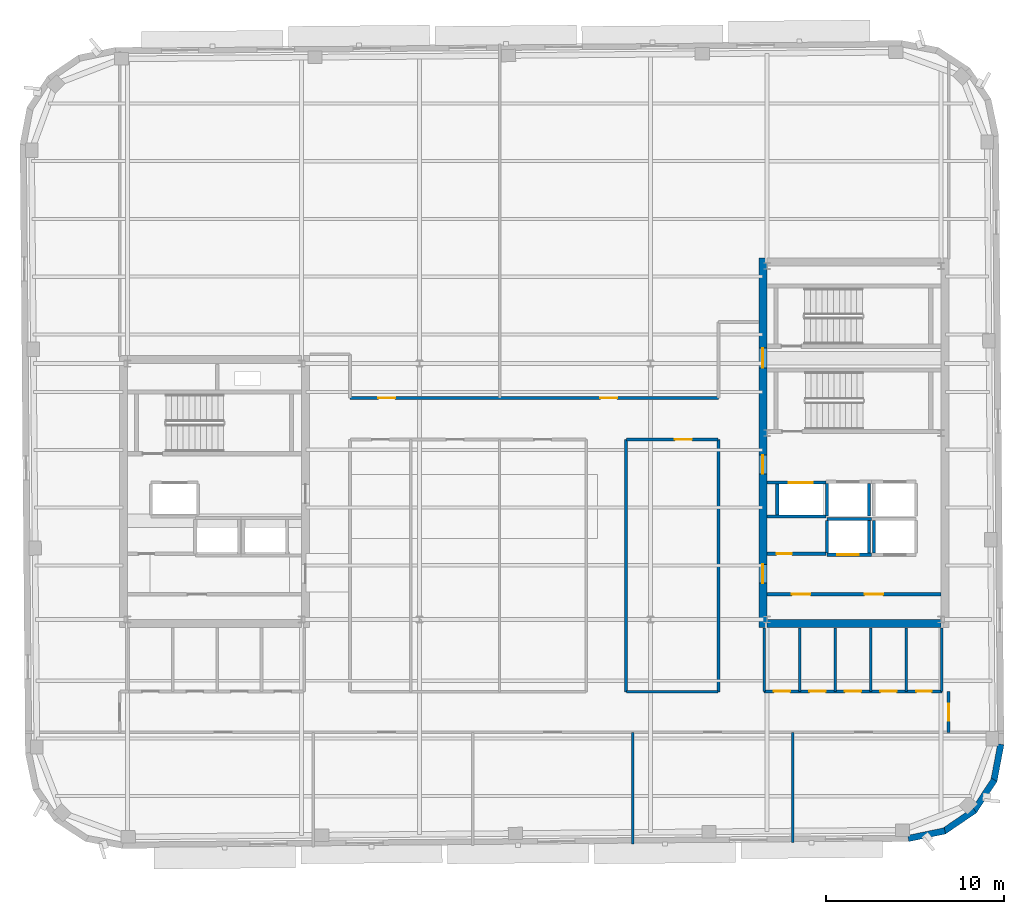
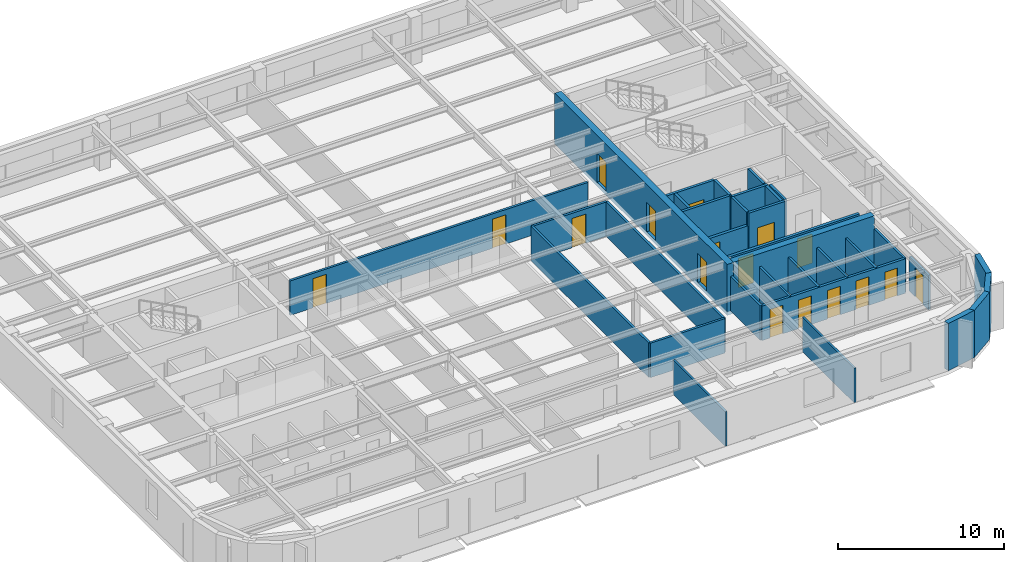
# One storey, part 8 of 15: 33 walls, 17 doors, 17 openings.
"""IFC4 building model written with IfcOpenShell, lengths in metres."""

import ifcopenshell
import ifcopenshell.guid

model = None  # the IFC model being written
_history = None  # IfcOwnerHistory: only IFC2X3 demands one
_inside = {}  # id of a spatial element -> (the spatial element, [elements in it])
_under = {}  # id of a project, library or spatial element -> (it, [spatial elements below it])
_declared = {}  # id of a project -> (the project, [libraries it declares])
_typed = {}  # id of a type object -> (the type object, [elements of that type])
_made_of = {}  # id of a material, layer set ... -> (it, [elements and type objects made of it])


def new_model(schema):
    """Start an empty IFC model of exactly this schema.

    Asked for "IFC4X3", IfcOpenShell would pick the latest addendum, in which some entities
    have other attributes; the version numbers below select the first issue.
    IFC2X3 requires an IfcOwnerHistory on every rooted entity: one is made here for all.
    """
    global model, _history
    if schema == "IFC4X3":
        model = ifcopenshell.file(schema_version=(4, 3, 0, 0))
    else:
        model = ifcopenshell.file(schema=schema)
    _inside.clear()
    _under.clear()
    _declared.clear()
    _typed.clear()
    _made_of.clear()
    _history = None
    if model.schema == "IFC2X3":
        org = make("IfcOrganization", Name="unknown")
        user = make(
            "IfcPersonAndOrganization",
            ThePerson=make("IfcPerson", FamilyName="unknown"),
            TheOrganization=org,
        )
        app = make(
            "IfcApplication",
            ApplicationDeveloper=org,
            Version="unknown",
            ApplicationFullName="unknown",
            ApplicationIdentifier="unknown",
        )
        _history = make(
            "IfcOwnerHistory",
            OwningUser=user,
            OwningApplication=app,
            ChangeAction="ADDED",
            CreationDate=0,
        )
    return model


def make(cls, **values):
    """One entity of the class cls with the attributes given. An attribute that is None is left unset."""
    return model.create_entity(
        cls, **{name: value for name, value in values.items() if value is not None}
    )


def rooted(cls, **values):
    """An entity with a GlobalId (a new one), such as an element, a storey or a relation."""
    return make(cls, GlobalId=ifcopenshell.guid.new(), OwnerHistory=_history, **values)


def si_unit(unit_type, name, prefix=None):
    """IfcSIUnit, for example si_unit("LENGTHUNIT", "METRE", prefix="MILLI")."""
    return make("IfcSIUnit", UnitType=unit_type, Prefix=prefix, Name=name)


def assignment(units):
    """IfcUnitAssignment: the units of a project."""
    return None if units is None else make("IfcUnitAssignment", Units=units)


def point(xyz):
    """IfcCartesianPoint."""
    return None if xyz is None else make("IfcCartesianPoint", Coordinates=xyz)


def direction(xyz):
    """IfcDirection."""
    return None if xyz is None else make("IfcDirection", DirectionRatios=xyz)


def frame(location, z_axis=None, x_axis=None):
    """IfcAxis2Placement3D, a coordinate frame: its origin and axes. An axis left out is left unset."""
    return make(
        "IfcAxis2Placement3D",
        Location=point(location),
        Axis=direction(z_axis),
        RefDirection=direction(x_axis),
    )


def frame_2d(location, x_axis=None):
    """IfcAxis2Placement2D, a coordinate frame in the plane: its origin and x axis."""
    return make(
        "IfcAxis2Placement2D", Location=point(location), RefDirection=direction(x_axis)
    )


def origin():
    """The frame at (0, 0, 0) with its axes left unset."""
    return frame((0.0, 0.0, 0.0))


def place(relative_to, where):
    """IfcLocalPlacement: puts the frame where relative to a parent placement (None: the world)."""
    return make(
        "IfcLocalPlacement", PlacementRelTo=relative_to, RelativePlacement=where
    )


def context(
    kind, dimensions, precision=None, world=None, true_north=None, identifier=None
):
    """IfcGeometricRepresentationContext, for example the 3D "Model" context."""
    return make(
        "IfcGeometricRepresentationContext",
        ContextIdentifier=identifier,
        ContextType=kind,
        CoordinateSpaceDimension=dimensions,
        Precision=precision,
        WorldCoordinateSystem=world,
        TrueNorth=true_north,
    )


def subcontext(parent, identifier, kind, view, scale=None):
    """IfcGeometricRepresentationSubContext, for example "Body" below "Model"."""
    return make(
        "IfcGeometricRepresentationSubContext",
        ContextIdentifier=identifier,
        ContextType=kind,
        ParentContext=parent,
        TargetScale=scale,
        TargetView=view,
    )


def project(units=None, contexts=None):
    """IfcProject with its units and contexts."""
    return rooted(
        "IfcProject",
        Name="project",
        RepresentationContexts=contexts,
        UnitsInContext=assignment(units),
    )


def spatial(cls, under=None, at=None, **own):
    """A site, building, storey or space (cls), placed at a placement, below another one or the project."""
    s = rooted(cls, ObjectPlacement=at, **own)
    if under is not None:
        _under.setdefault(under.id(), (under, []))[1].append(s)
    return s


def profile(cls, at=None, kind="AREA", **sizes):
    """A parametric profile (cls). Its sizes go by their IFC names, for example OverallWidth=200.0."""
    return make(cls, ProfileType=kind, Position=at, **sizes)


def rectangle(**sizes):
    """IfcRectangleProfileDef."""
    return profile("IfcRectangleProfileDef", **sizes)


def extrude(swept, where, along, depth):
    """IfcExtrudedAreaSolid: the profile swept, set in the frame where, extruded along a direction by depth."""
    return make(
        "IfcExtrudedAreaSolid",
        SweptArea=swept,
        Position=where,
        ExtrudedDirection=direction(along),
        Depth=depth,
    )


def shape(context_of_items, identifier, shape_type, items):
    """IfcShapeRepresentation: the items that make up one representation, for example the "Body"."""
    return make(
        "IfcShapeRepresentation",
        ContextOfItems=context_of_items,
        RepresentationIdentifier=identifier,
        RepresentationType=shape_type,
        Items=items,
    )


def material(Name=None, Category=None):
    """IfcMaterial."""
    return make("IfcMaterial", Name=Name, Category=Category)


def layer(
    of_material, thickness, ventilated=None, Name=None, Category=None, Priority=None
):
    """IfcMaterialLayer: one layer of a wall or slab, of a material (None: an air gap)."""
    return make(
        "IfcMaterialLayer",
        Material=of_material,
        LayerThickness=thickness,
        IsVentilated=ventilated,
        Name=Name,
        Category=Category,
        Priority=Priority,
    )


def layer_set(layers, Name=None):
    """IfcMaterialLayerSet."""
    return make("IfcMaterialLayerSet", MaterialLayers=layers, LayerSetName=Name)


def made_of(thing, what):
    """Note that an element or type object is made of a material, layer set ...; save() writes the relation."""
    if what is not None:
        _made_of.setdefault(what.id(), (what, []))[1].append(thing)
    return thing


def type_object(cls, material=None, **own):
    """A type object (cls), such as IfcWallType, which elements share."""
    return made_of(rooted(cls, **own), material)


def element(
    cls,
    number,
    at=None,
    inside=None,
    cuts=None,
    type_object=None,
    material=None,
    context=None,
    identifier="Body",
    shape_type=None,
    held_by="IfcProductDefinitionShape",
    body=None,
    shapes=None,
    **own,
):
    """One element of the class cls, such as IfcWall. Its Tag is "e" and its number.

    at: its placement. inside: the storey or other place that contains it. cuts: it is an
    opening in that element (IfcRelVoidsElement). A single representation is given by context,
    identifier, shape_type and body (its items); several are given by shapes. held_by: the class
    of the entity that holds the representations. save() writes the other relations.
    """
    e = rooted(cls, Tag="e%d" % number, ObjectPlacement=at, **own)
    if body is not None:
        shapes = [shape(context, identifier, shape_type, body)]
    if shapes is not None:
        e.Representation = make(held_by, Representations=shapes)
    if inside is not None:
        _inside.setdefault(inside.id(), (inside, []))[1].append(e)
    if cuts is not None:
        rooted(
            "IfcRelVoidsElement", RelatingBuildingElement=cuts, RelatedOpeningElement=e
        )
    if type_object is not None:
        _typed.setdefault(type_object.id(), (type_object, []))[1].append(e)
    return made_of(e, material)


def fill(opening, filler):
    """IfcRelFillsElement: the door or window that sits in an opening."""
    return rooted(
        "IfcRelFillsElement",
        RelatingOpeningElement=opening,
        RelatedBuildingElement=filler,
    )


def aggregate(whole, parts):
    """IfcRelAggregates: a whole, such as a stair, and the parts it consists of."""
    return rooted("IfcRelAggregates", RelatingObject=whole, RelatedObjects=parts)


def save(model, path):
    """Write the relations noted so far, then the file.

    IfcRelAggregates (storeys below a building ...), IfcRelContainedInSpatialStructure (elements
    in a storey), IfcRelDefinesByType, IfcRelAssociatesMaterial and IfcRelDeclares: one each for
    every whole, place, type object, material and project.
    """
    for whole, parts in _under.values():
        aggregate(whole, parts)
    for where, things in _inside.values():
        rooted(
            "IfcRelContainedInSpatialStructure",
            RelatedElements=things,
            RelatingStructure=where,
        )
    for kind, things in _typed.values():
        rooted("IfcRelDefinesByType", RelatedObjects=things, RelatingType=kind)
    for what, things in _made_of.values():
        rooted("IfcRelAssociatesMaterial", RelatedObjects=things, RelatingMaterial=what)
    for by, libraries in _declared.values():
        rooted("IfcRelDeclares", RelatingContext=by, RelatedDefinitions=libraries)
    model.write(path)


model = new_model("IFC4")

# Units and contexts
model_context = context("Model", 3, precision=1e-05, world=origin(), true_north=direction((0.0, 1.0)))
body_context = subcontext(model_context, "Body", "Model", "MODEL_VIEW")
ifc_project = project(units=[si_unit("LENGTHUNIT", "METRE"), si_unit("AREAUNIT", "SQUARE_METRE"), si_unit("VOLUMEUNIT", "CUBIC_METRE"), si_unit("PLANEANGLEUNIT", "RADIAN"), si_unit("MASSUNIT", "GRAM", prefix="KILO")], contexts=[model_context])

# Site, building, storey
site_placement = place(None, origin())
site = spatial("IfcSite", under=ifc_project, at=site_placement, CompositionType="ELEMENT")
building_placement = place(site_placement, origin())
building = spatial("IfcBuilding", under=site, at=building_placement, Name="Kolvaren Arena Tower", CompositionType="ELEMENT")
storey_placement = place(building_placement, frame((0.0, 0.0, 282.39990234375)))
storey = spatial("IfcBuildingStorey", under=building, at=storey_placement, Name="L69", CompositionType="ELEMENT", Elevation=282.39990234375)

# Wall, openings, doors
ifc_material_1 = material(Name="Gypsum board acoustic assembly", Category="gypsum")
ifc_layer_1 = layer(ifc_material_1, 0.159912109375)
ifc_layer_set_1 = layer_set([ifc_layer_1], Name="Gypsum board acoustic assembly")
wall_type_1 = type_object("IfcWallType", Name="CORR-160", PredefinedType="PARTITIONING", material=ifc_layer_set_1)
wall_1_placement = place(storey_placement, frame((27.080078125, 31.919921875, 0.0), z_axis=(0.0, 0.0, 1.0), x_axis=(1.0, 0.0, 0.0)))
wall_1 = element("IfcWall", 1, at=wall_1_placement, inside=storey, type_object=wall_type_1, Name="Interior Partition Wall (L69)", PredefinedType="PARTITIONING", context=body_context, shape_type="SweptSolid", body=[
    extrude(rectangle(XDim=20.739990234375, YDim=0.159912109375, at=frame_2d((10.3701171875, 0.0))), origin(), (0.0, 0.0, 1.0), 2.5400390625),
])
opening_1_placement = place(wall_1_placement, frame((1.594970703125, 0.0, 0.0)))
opening_1 = element("IfcOpeningElement", 2, at=opening_1_placement, cuts=wall_1, Name="Opening D05", PredefinedType="OPENING", context=body_context, shape_type="SweptSolid", body=[
    extrude(rectangle(XDim=0.949951171875, YDim=2.14990234375, at=frame_2d((0.47509765625, 1.074951171875))), frame((0.0, 0.08984375, 0.0), z_axis=(0.0, -1.0, 0.0), x_axis=(1.0, 0.0, 0.0)), (0.0, 0.0, 1.0), 0.179931640625),
])
opening_2_placement = place(wall_1_placement, frame((14.094970703125, 0.0, 0.0)))
opening_2 = element("IfcOpeningElement", 3, at=opening_2_placement, cuts=wall_1, Name="Opening D05", PredefinedType="OPENING", context=body_context, shape_type="SweptSolid", body=[
    extrude(rectangle(XDim=0.949951171875, YDim=2.14990234375, at=frame_2d((0.47509765625, 1.074951171875))), frame((0.0, 0.08984375, 0.0), z_axis=(0.0, -1.0, 0.0), x_axis=(1.0, 0.0, 0.0)), (0.0, 0.0, 1.0), 0.179931640625),
])
ifc_material_2 = material(Name="Solid-core oak acoustic office door", Category="wood")
door_type_1 = type_object("IfcDoorType", Name="DOOR-OF-095", OperationType="NOTDEFINED", PredefinedType="DOOR", material=ifc_material_2)
door_1_placement = place(opening_1_placement, origin())
door_1 = element("IfcDoor", 4, at=door_1_placement, inside=storey, type_object=door_type_1, Name="Open Plan Office Door (L69)", OperationType="SINGLE_SWING_RIGHT", OverallHeight=2.14990234375, OverallWidth=0.949951171875, PredefinedType="DOOR", context=body_context, shape_type="SweptSolid", body=[
    extrude(rectangle(XDim=0.949951171875, YDim=2.14990234375, at=frame_2d((0.47509765625, 1.074951171875))), frame((0.0, 0.02490234375, 0.0), z_axis=(0.0, -1.0, 0.0), x_axis=(1.0, 0.0, 0.0)), (0.0, 0.0, 1.0), 0.050048828125),
])
fill(opening_1, door_1)
door_2_placement = place(opening_2_placement, origin())
door_2 = element("IfcDoor", 5, at=door_2_placement, inside=storey, type_object=door_type_1, Name="Open Plan Office Door (L69)", OperationType="SINGLE_SWING_LEFT", OverallHeight=2.14990234375, OverallWidth=0.949951171875, PredefinedType="DOOR", context=body_context, shape_type="SweptSolid", body=[
    extrude(rectangle(XDim=0.949951171875, YDim=2.14990234375, at=frame_2d((0.47509765625, 1.074951171875))), frame((0.0, 0.02490234375, 0.0), z_axis=(0.0, -1.0, 0.0), x_axis=(1.0, 0.0, 0.0)), (0.0, 0.0, 1.0), 0.050048828125),
])
fill(opening_2, door_2)

# Wall, opening, door
wall_2_placement = place(storey_placement, frame((42.639892578125, 29.580078125, 0.0), z_axis=(0.0, 0.0, 1.0), x_axis=(1.0, 0.0, 0.0)))
wall_2 = element("IfcWall", 6, at=wall_2_placement, inside=storey, type_object=wall_type_1, Name="Interior Partition Wall (L69)", PredefinedType="PARTITIONING", context=body_context, shape_type="SweptSolid", body=[
    extrude(rectangle(XDim=5.16015625, YDim=0.159912109375, at=frame_2d((2.580078125, 0.0))), origin(), (0.0, 0.0, 1.0), 2.5400390625),
])
opening_3_placement = place(wall_2_placement, frame((2.735107421875, 0.0, 0.0)))
opening_3 = element("IfcOpeningElement", 7, at=opening_3_placement, cuts=wall_2, Name="Opening D05", PredefinedType="OPENING", context=body_context, shape_type="SweptSolid", body=[
    extrude(rectangle(XDim=0.949951171875, YDim=2.14990234375, at=frame_2d((0.47509765625, 1.074951171875))), frame((0.0, 0.08984375, 0.0), z_axis=(0.0, -1.0, 0.0), x_axis=(1.0, 0.0, 0.0)), (0.0, 0.0, 1.0), 0.179931640625),
])
door_3_placement = place(opening_3_placement, origin())
door_3 = element("IfcDoor", 8, at=door_3_placement, inside=storey, type_object=door_type_1, Name="Breakout Pantry and Kitchen Door (L69)", OperationType="SINGLE_SWING_LEFT", OverallHeight=2.14990234375, OverallWidth=0.949951171875, PredefinedType="DOOR", context=body_context, shape_type="SweptSolid", body=[
    extrude(rectangle(XDim=0.949951171875, YDim=2.14990234375, at=frame_2d((0.47509765625, 1.074951171875))), frame((0.0, 0.02490234375, 0.0), z_axis=(0.0, -1.0, 0.0), x_axis=(1.0, 0.0, 0.0)), (0.0, 0.0, 1.0), 0.050048828125),
])
fill(opening_3, door_3)

# Walls
wall_3_placement = place(storey_placement, frame((42.639892578125, 15.3798828125, 0.0), z_axis=(0.0, 0.0, 1.0), x_axis=(1.0, 0.0, 0.0)))
element("IfcWall", 9, at=wall_3_placement, inside=storey, type_object=wall_type_1, Name="Interior Partition Wall (L69)", PredefinedType="PARTITIONING", context=body_context, shape_type="SweptSolid", body=[
    extrude(rectangle(XDim=5.16015625, YDim=0.159912109375, at=frame_2d((2.580078125, 0.0))), origin(), (0.0, 0.0, 1.0), 2.5400390625),
])
for number, where, z_axis, x_axis, name in (
    (10, (42.6201171875, 15.3798828125, 0.0), (0.0, 0.0, 1.0), (0.0, 1.0, 0.0), "Interior Partition Wall (L69)"),
    (11, (47.820068359375, 15.3798828125, 0.0), (0.0, 0.0, 1.0), (0.0, 1.0, 0.0), "Interior Partition Wall (L69)"),
):
    element("IfcWall", number, at=place(storey_placement, frame(where, z_axis=z_axis, x_axis=x_axis)), inside=storey, type_object=wall_type_1, Name=name, PredefinedType="PARTITIONING", context=body_context, shape_type="SweptSolid", body=[
        extrude(rectangle(XDim=14.2001953125, YDim=0.159912109375, at=frame_2d((7.10009765625, 0.0))), origin(), (0.0, 0.0, 1.0), 2.5400390625),
    ])

# Wall, opening, door
wall_4_placement = place(storey_placement, frame((60.780029296875, 13.10009765625, 0.0), z_axis=(0.0, 0.0, 1.0), x_axis=(0.0, 1.0, 0.0)))
wall_4 = element("IfcWall", 12, at=wall_4_placement, inside=storey, type_object=wall_type_1, Name="Interior Partition Wall (L69)", PredefinedType="PARTITIONING", context=body_context, shape_type="SweptSolid", body=[
    extrude(rectangle(XDim=2.2998046875, YDim=0.159912109375, at=frame_2d((1.14990234375, 0.0))), origin(), (0.0, 0.0, 1.0), 2.5400390625),
])
opening_4_placement = place(wall_4_placement, frame((0.64990234375, 0.0, 0.0)))
opening_4 = element("IfcOpeningElement", 13, at=opening_4_placement, cuts=wall_4, Name="Opening D05", PredefinedType="OPENING", context=body_context, shape_type="SweptSolid", body=[
    extrude(rectangle(XDim=0.949951171875, YDim=2.14990234375, at=frame_2d((0.47509765625, 1.074951171875))), frame((0.0, 0.08984375, 0.0), z_axis=(0.0, -1.0, 0.0), x_axis=(1.0, 0.0, 0.0)), (0.0, 0.0, 1.0), 0.179931640625),
])
door_4_placement = place(opening_4_placement, origin())
door_4 = element("IfcDoor", 14, at=door_4_placement, inside=storey, type_object=door_type_1, Name="East Wing Studio Door (L69)", OperationType="SINGLE_SWING_RIGHT", OverallHeight=2.14990234375, OverallWidth=0.949951171875, PredefinedType="DOOR", context=body_context, shape_type="SweptSolid", body=[
    extrude(rectangle(XDim=0.949951171875, YDim=2.14990234375, at=frame_2d((0.47509765625, 1.074951171875))), frame((0.0, 0.02490234375, 0.0), z_axis=(0.0, -1.0, 0.0), x_axis=(1.0, 0.0, 0.0)), (0.0, 0.0, 1.0), 0.050048828125),
])
fill(opening_4, door_4)

# Wall, openings, doors
ifc_material_3 = material(Name="Concrete 55 MPa", Category="concrete")
ifc_layer_2 = layer(ifc_material_3, 0.449951171875)
ifc_layer_set_2 = layer_set([ifc_layer_2], Name="Concrete 55 MPa")
wall_type_2 = type_object("IfcWallType", Name="CWALL-450", PredefinedType="SHEAR", material=ifc_layer_set_2)
wall_5_placement = place(storey_placement, frame((50.324951171875, 19.0, -0.27001953125), z_axis=(0.0, 0.0, 1.0), x_axis=(0.0, 1.0, 0.0)))
wall_5 = element("IfcWall", 15, at=wall_5_placement, inside=storey, type_object=wall_type_2, Name="Core Shear Wall EC-WEST (L69)", PredefinedType="SHEAR", context=body_context, shape_type="SweptSolid", body=[
    extrude(rectangle(XDim=20.800048828125, YDim=0.449951171875, at=frame_2d((10.39990234375, 0.0))), origin(), (0.0, 0.0, 1.0), 3.75),
])
opening_5_placement = place(wall_5_placement, frame((2.5, 0.0, 0.27001953125)))
opening_5 = element("IfcOpeningElement", 16, at=opening_5_placement, cuts=wall_5, Name="Opening D04", PredefinedType="OPENING", context=body_context, shape_type="SweptSolid", body=[
    extrude(rectangle(XDim=1.050048828125, YDim=2.14990234375, at=frame_2d((0.52490234375, 1.074951171875))), frame((0.0, 0.23486328125, 0.0), z_axis=(0.0, -1.0, 0.0), x_axis=(1.0, 0.0, 0.0)), (0.0, 0.0, 1.0), 0.469970703125),
])
opening_6_placement = place(wall_5_placement, frame((8.64990234375, 0.0, 0.27001953125)))
opening_6 = element("IfcOpeningElement", 17, at=opening_6_placement, cuts=wall_5, Name="Opening D04", PredefinedType="OPENING", context=body_context, shape_type="SweptSolid", body=[
    extrude(rectangle(XDim=1.050048828125, YDim=2.14990234375, at=frame_2d((0.52490234375, 1.074951171875))), frame((0.0, 0.23486328125, 0.0), z_axis=(0.0, -1.0, 0.0), x_axis=(1.0, 0.0, 0.0)), (0.0, 0.0, 1.0), 0.469970703125),
])
opening_7_placement = place(wall_5_placement, frame((14.6201171875, 0.0, 0.27001953125)))
opening_7 = element("IfcOpeningElement", 18, at=opening_7_placement, cuts=wall_5, Name="Opening D03", PredefinedType="OPENING", context=body_context, shape_type="SweptSolid", body=[
    extrude(rectangle(XDim=1.10009765625, YDim=2.14990234375, at=frame_2d((0.550048828125, 1.074951171875))), frame((0.0, 0.23486328125, 0.0), z_axis=(0.0, -1.0, 0.0), x_axis=(1.0, 0.0, 0.0)), (0.0, 0.0, 1.0), 0.469970703125),
])
ifc_material_4 = material(Name="Fire-rated steel lobby door", Category="steel")
door_type_2 = type_object("IfcDoorType", Name="DOOR-FF-105", OperationType="NOTDEFINED", PredefinedType="DOOR", material=ifc_material_4)
door_5_placement = place(opening_5_placement, origin())
door_5 = element("IfcDoor", 19, at=door_5_placement, inside=storey, type_object=door_type_2, Name="East Lift Lobby Fire Door (L69)", OperationType="SINGLE_SWING_RIGHT", OverallHeight=2.14990234375, OverallWidth=1.050048828125, PredefinedType="DOOR", context=body_context, shape_type="SweptSolid", body=[
    extrude(rectangle(XDim=1.050048828125, YDim=2.14990234375, at=frame_2d((0.52490234375, 1.074951171875))), frame((0.0, 0.02490234375, 0.0), z_axis=(0.0, -1.0, 0.0), x_axis=(1.0, 0.0, 0.0)), (0.0, 0.0, 1.0), 0.050048828125),
])
fill(opening_5, door_5)
door_6_placement = place(opening_6_placement, origin())
door_6 = element("IfcDoor", 20, at=door_6_placement, inside=storey, type_object=door_type_2, Name="East Firefighter Vestibule Door (L69)", OperationType="SINGLE_SWING_LEFT", OverallHeight=2.14990234375, OverallWidth=1.050048828125, PredefinedType="DOOR", context=body_context, shape_type="SweptSolid", body=[
    extrude(rectangle(XDim=1.050048828125, YDim=2.14990234375, at=frame_2d((0.52490234375, 1.074951171875))), frame((0.0, 0.02490234375, 0.0), z_axis=(0.0, -1.0, 0.0), x_axis=(1.0, 0.0, 0.0)), (0.0, 0.0, 1.0), 0.050048828125),
])
fill(opening_6, door_6)
ifc_material_5 = material(Name="Fire-rated steel exit stair door", Category="steel")
door_type_3 = type_object("IfcDoorType", Name="DOOR-ST-110", OperationType="NOTDEFINED", PredefinedType="DOOR", material=ifc_material_5)
door_7_placement = place(opening_7_placement, origin())
door_7 = element("IfcDoor", 21, at=door_7_placement, inside=storey, type_object=door_type_3, Name="Stair ST-E2 Vestibule Fire Door (L69)", OperationType="SINGLE_SWING_LEFT", OverallHeight=2.14990234375, OverallWidth=1.10009765625, PredefinedType="DOOR", context=body_context, shape_type="SweptSolid", body=[
    extrude(rectangle(XDim=1.10009765625, YDim=2.14990234375, at=frame_2d((0.550048828125, 1.074951171875))), frame((0.0, 0.02490234375, 0.0), z_axis=(0.0, -1.0, 0.0), x_axis=(1.0, 0.0, 0.0)), (0.0, 0.0, 1.0), 0.050048828125),
])
fill(opening_7, door_7)

# Walls
wall_6_placement = place(storey_placement, frame((50.550048828125, 19.22509765625, -0.27001953125), z_axis=(0.0, 0.0, 1.0), x_axis=(1.0, 0.0, 0.0)))
element("IfcWall", 22, at=wall_6_placement, inside=storey, type_object=wall_type_2, Name="Core Shear Wall EC-SOUTH (L69)", PredefinedType="SHEAR", context=body_context, shape_type="SweptSolid", body=[
    extrude(rectangle(XDim=9.800048828125, YDim=0.449951171875, at=frame_2d((4.89990234375, 0.0))), origin(), (0.0, 0.0, 1.0), 3.75),
])
ifc_material_6 = material(Name="Precast concrete C50/60", Category="concrete")
ifc_layer_3 = layer(ifc_material_6, 0.360107421875)
ifc_layer_set_3 = layer_set([ifc_layer_3], Name="Precast concrete C50/60")
wall_type_3 = type_object("IfcWallType", Name="EXT-PIER2", PredefinedType="SOLIDWALL", material=ifc_layer_set_3)
wall_7_placement = place(storey_placement, frame((60.572265625, 7.54931640625, 0.0), z_axis=(0.0, 0.0, 1.0), x_axis=(-0.979059388908, -0.203574833883, 0.0)))
element("IfcWall", 23, at=wall_7_placement, inside=storey, type_object=wall_type_3, Name="Exterior Precast Masonry-Frame Wall (L69)", PredefinedType="SOLIDWALL", context=body_context, shape_type="SweptSolid", body=[
    extrude(rectangle(XDim=2.107177734375, YDim=0.360107421875, at=frame_2d((1.0537109375, 0.0))), origin(), (0.0, 0.0, 1.0), 3.47998046875),
])
for number, where, z_axis, x_axis, name in (
    (24, (62.2490234375, 8.707763671875, 0.0), (0.0, 0.0, 1.0), (-0.826572866302, -0.562829722645, 0.0), "Exterior Precast Masonry-Frame Wall (L69)"),
    (25, (63.35498046875, 10.419921875, 0.0), (0.0, 0.0, 1.0), (-0.54818559406, -0.836356714844, 0.0), "Exterior Precast Masonry-Frame Wall (L69)"),
    (26, (63.7216796875, 12.4248046875, 0.0), (0.0, 0.0, 1.0), (-0.186435855703, -0.98246713518, 0.0), "Exterior Precast Masonry-Frame Wall (L69)"),
):
    element("IfcWall", number, at=place(storey_placement, frame(where, z_axis=z_axis, x_axis=x_axis)), inside=storey, type_object=wall_type_3, Name=name, PredefinedType="SOLIDWALL", context=body_context, shape_type="SweptSolid", body=[
        extrude(rectangle(XDim=2.10693359375, YDim=0.360107421875, at=frame_2d((1.053466796875, 0.0))), origin(), (0.0, 0.0, 1.0), 3.47998046875),
    ])

# Wall, openings, doors
ifc_material_7 = material(Name="Concrete 40 MPa", Category="concrete")
ifc_layer_4 = layer(ifc_material_7, 0.199951171875)
ifc_layer_set_4 = layer_set([ifc_layer_4], Name="Concrete 40 MPa")
wall_type_4 = type_object("IfcWallType", Name="LOBBY-200", PredefinedType="SOLIDWALL", material=ifc_layer_set_4)
wall_8_placement = place(storey_placement, frame((50.550048828125, 20.8798828125, 0.0), z_axis=(0.0, 0.0, 1.0), x_axis=(1.0, 0.0, 0.0)))
wall_8 = element("IfcWall", 27, at=wall_8_placement, inside=storey, type_object=wall_type_4, Name="Core Shaft Wall (L69)", PredefinedType="SOLIDWALL", context=body_context, shape_type="SweptSolid", body=[
    extrude(rectangle(XDim=9.800048828125, YDim=0.199951171875, at=frame_2d((4.89990234375, 0.0))), origin(), (0.0, 0.0, 1.0), 2.5400390625),
])
opening_8_placement = place(wall_8_placement, frame((1.39990234375, 0.0, 0.0)))
opening_8 = element("IfcOpeningElement", 28, at=opening_8_placement, cuts=wall_8, Name="Opening D04", PredefinedType="OPENING", context=body_context, shape_type="SweptSolid", body=[
    extrude(rectangle(XDim=1.050048828125, YDim=2.14990234375, at=frame_2d((0.52490234375, 1.074951171875))), frame((0.0, 0.10986328125, 0.0), z_axis=(0.0, -1.0, 0.0), x_axis=(1.0, 0.0, 0.0)), (0.0, 0.0, 1.0), 0.219970703125),
])
opening_9_placement = place(wall_8_placement, frame((5.5, 0.0, 0.0)))
opening_9 = element("IfcOpeningElement", 29, at=opening_9_placement, cuts=wall_8, Name="Opening D04", PredefinedType="OPENING", context=body_context, shape_type="SweptSolid", body=[
    extrude(rectangle(XDim=1.050048828125, YDim=2.14990234375, at=frame_2d((0.52490234375, 1.074951171875))), frame((0.0, 0.10986328125, 0.0), z_axis=(0.0, -1.0, 0.0), x_axis=(1.0, 0.0, 0.0)), (0.0, 0.0, 1.0), 0.219970703125),
])
door_8_placement = place(opening_8_placement, origin())
door_8 = element("IfcDoor", 30, at=door_8_placement, inside=storey, type_object=door_type_2, Name="East Telecom Room Fire Door (L69)", OperationType="SINGLE_SWING_RIGHT", OverallHeight=2.14990234375, OverallWidth=1.050048828125, PredefinedType="DOOR", context=body_context, shape_type="SweptSolid", body=[
    extrude(rectangle(XDim=1.050048828125, YDim=2.14990234375, at=frame_2d((0.52490234375, 1.074951171875))), frame((0.0, 0.02490234375, 0.0), z_axis=(0.0, -1.0, 0.0), x_axis=(1.0, 0.0, 0.0)), (0.0, 0.0, 1.0), 0.050048828125),
])
fill(opening_8, door_8)
door_9_placement = place(opening_9_placement, origin())
door_9 = element("IfcDoor", 31, at=door_9_placement, inside=storey, type_object=door_type_2, Name="East Records Room Fire Door (L69)", OperationType="SINGLE_SWING_LEFT", OverallHeight=2.14990234375, OverallWidth=1.050048828125, PredefinedType="DOOR", context=body_context, shape_type="SweptSolid", body=[
    extrude(rectangle(XDim=1.050048828125, YDim=2.14990234375, at=frame_2d((0.52490234375, 1.074951171875))), frame((0.0, 0.02490234375, 0.0), z_axis=(0.0, -1.0, 0.0), x_axis=(1.0, 0.0, 0.0)), (0.0, 0.0, 1.0), 0.050048828125),
])
fill(opening_9, door_9)

# Wall, opening, door
wall_9_placement = place(storey_placement, frame((50.550048828125, 23.159912109375, 0.0), z_axis=(0.0, 0.0, 1.0), x_axis=(1.0, 0.0, 0.0)))
wall_9 = element("IfcWall", 32, at=wall_9_placement, inside=storey, type_object=wall_type_4, Name="Core Shaft Wall (L69)", PredefinedType="SOLIDWALL", context=body_context, shape_type="SweptSolid", body=[
    extrude(rectangle(XDim=3.329833984375, YDim=0.199951171875, at=frame_2d((1.6650390625, 0.0))), origin(), (0.0, 0.0, 1.0), 2.5400390625),
])
opening_10_placement = place(wall_9_placement, frame((0.550048828125, 0.0, 0.0)))
opening_10 = element("IfcOpeningElement", 33, at=opening_10_placement, cuts=wall_9, Name="Opening D09", PredefinedType="OPENING", context=body_context, shape_type="SweptSolid", body=[
    extrude(rectangle(XDim=0.860107421875, YDim=2.050048828125, at=frame_2d((0.43017578125, 1.02490234375))), frame((0.0, 0.10986328125, 0.0), z_axis=(0.0, -1.0, 0.0), x_axis=(1.0, 0.0, 0.0)), (0.0, 0.0, 1.0), 0.219970703125),
])
ifc_material_8 = material(Name="Fire-rated steel riser access door", Category="steel")
door_type_4 = type_object("IfcDoorType", Name="DOOR-RS-086", OperationType="NOTDEFINED", PredefinedType="DOOR", material=ifc_material_8)
door_10_placement = place(opening_10_placement, origin())
door_10 = element("IfcDoor", 34, at=door_10_placement, inside=storey, type_object=door_type_4, Name="East AV Riser Closet Door (L69)", OperationType="SINGLE_SWING_LEFT", OverallHeight=2.050048828125, OverallWidth=0.860107421875, PredefinedType="DOOR", context=body_context, shape_type="SweptSolid", body=[
    extrude(rectangle(XDim=0.860107421875, YDim=2.050048828125, at=frame_2d((0.43017578125, 1.02490234375))), frame((0.0, 0.02490234375, 0.0), z_axis=(0.0, -1.0, 0.0), x_axis=(1.0, 0.0, 0.0)), (0.0, 0.0, 1.0), 0.050048828125),
])
fill(opening_10, door_10)

# Walls
ifc_material_9 = material(Name="Gypsum board partition assembly", Category="gypsum")
ifc_layer_5 = layer(ifc_material_9, 0.135009765625)
ifc_layer_set_5 = layer_set([ifc_layer_5], Name="Gypsum board partition assembly")
wall_type_5 = type_object("IfcWallType", Name="PART-135", PredefinedType="PARTITIONING", material=ifc_layer_set_5)
wall_10_placement = place(storey_placement, frame((43.0, 6.80859375, 0.0), z_axis=(0.0, 0.0, 1.0), x_axis=(0.0, 1.0, 0.0)))
element("IfcWall", 35, at=wall_10_placement, inside=storey, type_object=wall_type_5, Name="Interior Partition Wall (L69)", PredefinedType="PARTITIONING", context=body_context, shape_type="SweptSolid", body=[
    extrude(rectangle(XDim=6.29150390625, YDim=0.135009765625, at=frame_2d((3.145751953125, 0.0))), origin(), (0.0, 0.0, 1.0), 2.5400390625),
])
wall_11_placement = place(storey_placement, frame((52.0, 6.88720703125, 0.0), z_axis=(0.0, 0.0, 1.0), x_axis=(0.0, 1.0, 0.0)))
element("IfcWall", 36, at=wall_11_placement, inside=storey, type_object=wall_type_5, Name="Interior Partition Wall (L69)", PredefinedType="PARTITIONING", context=body_context, shape_type="SweptSolid", body=[
    extrude(rectangle(XDim=6.212890625, YDim=0.135009765625, at=frame_2d((3.1064453125, 0.0))), origin(), (0.0, 0.0, 1.0), 2.5400390625),
])
ifc_material_10 = material(Name="Concrete 45 MPa", Category="concrete")
ifc_layer_6 = layer(ifc_material_10, 0.25)
ifc_layer_set_6 = layer_set([ifc_layer_6], Name="Concrete 45 MPa")
wall_type_6 = type_object("IfcWallType", Name="SHAFT-250", PredefinedType="SOLIDWALL", material=ifc_layer_set_6)
wall_12_placement = place(storey_placement, frame((53.93994140625, 25.10498046875, 0.0), z_axis=(0.0, 0.0, 1.0), x_axis=(1.0, 0.0, 0.0)))
element("IfcWall", 37, at=wall_12_placement, inside=storey, type_object=wall_type_6, Name="Core Shaft Wall (L69)", PredefinedType="SOLIDWALL", context=body_context, shape_type="SweptSolid", body=[
    extrude(rectangle(XDim=2.5, YDim=0.179931640625, at=frame_2d((1.25, 0.0))), origin(), (0.0, 0.0, 1.0), 3.47998046875),
])

# Wall, opening, door
wall_13_placement = place(storey_placement, frame((53.93994140625, 23.094970703125, 0.0), z_axis=(0.0, 0.0, 1.0), x_axis=(1.0, 0.0, 0.0)))
wall_13 = element("IfcWall", 38, at=wall_13_placement, inside=storey, type_object=wall_type_6, Name="Core Shaft Wall (L69)", PredefinedType="SOLIDWALL", context=body_context, shape_type="SweptSolid", body=[
    extrude(rectangle(XDim=2.5, YDim=0.179931640625, at=frame_2d((1.25, 0.0))), origin(), (0.0, 0.0, 1.0), 3.47998046875),
])
opening_11_placement = place(wall_13_placement, frame((0.580078125, 0.0, 0.0)))
opening_11 = element("IfcOpeningElement", 39, at=opening_11_placement, cuts=wall_13, Name="Opening LD1", PredefinedType="OPENING", context=body_context, shape_type="SweptSolid", body=[
    extrude(rectangle(XDim=1.199951171875, YDim=2.199951171875, at=frame_2d((0.60009765625, 1.10009765625))), frame((0.0, 0.099853515625, 0.0), z_axis=(0.0, -1.0, 0.0), x_axis=(1.0, 0.0, 0.0)), (0.0, 0.0, 1.0), 0.199951171875),
])
ifc_material_11 = material(Name="Stainless steel passenger lift landing door", Category="steel")
door_type_5 = type_object("IfcDoorType", Name="DOOR-LD-120", OperationType="DOUBLE_DOOR_SLIDING", PredefinedType="DOOR", material=ifc_material_11)
door_11_placement = place(opening_11_placement, origin())
door_11 = element("IfcDoor", 40, at=door_11_placement, inside=storey, type_object=door_type_5, Name="Lift EL-HR1 Landing Door (L69)", OperationType="DOUBLE_DOOR_SLIDING", OverallHeight=2.199951171875, OverallWidth=1.199951171875, PredefinedType="DOOR", context=body_context, shape_type="SweptSolid", body=[
    extrude(rectangle(XDim=1.199951171875, YDim=2.199951171875, at=frame_2d((0.60009765625, 1.10009765625))), frame((0.0, 0.02490234375, 0.0), z_axis=(0.0, -1.0, 0.0), x_axis=(1.0, 0.0, 0.0)), (0.0, 0.0, 1.0), 0.050048828125),
])
fill(opening_11, door_11)

# Walls
for number, where, z_axis, x_axis, name in (
    (41, (53.93994140625, 23.18505859375, 0.0), (0.0, 0.0, 1.0), (0.0, 1.0, 0.0), "Core Shaft Wall (L69)"),
    (42, (56.300048828125, 23.18505859375, 0.0), (0.0, 0.0, 1.0), (0.0, 1.0, 0.0), "Core Shaft Wall (L69)"),
    (43, (56.580078125, 23.18505859375, 0.0), (0.0, 0.0, 1.0), (0.0, 1.0, 0.0), "Core Shaft Wall (L69)"),
):
    element("IfcWall", number, at=place(storey_placement, frame(where, z_axis=z_axis, x_axis=x_axis)), inside=storey, type_object=wall_type_6, Name=name, PredefinedType="SOLIDWALL", context=body_context, shape_type="SweptSolid", body=[
        extrude(rectangle(XDim=1.829833984375, YDim=0.179931640625, at=frame_2d((0.9150390625, 0.0))), origin(), (0.0, 0.0, 1.0), 3.47998046875),
    ])
for number, where, z_axis, x_axis, name in (
    (44, (53.93994140625, 25.284912109375, 0.0), (0.0, 0.0, 1.0), (0.0, 1.0, 0.0), "Core Shaft Wall (L69)"),
    (45, (56.300048828125, 25.284912109375, 0.0), (0.0, 0.0, 1.0), (0.0, 1.0, 0.0), "Core Shaft Wall (L69)"),
):
    element("IfcWall", number, at=place(storey_placement, frame(where, z_axis=z_axis, x_axis=x_axis)), inside=storey, type_object=wall_type_6, Name=name, PredefinedType="SOLIDWALL", context=body_context, shape_type="SweptSolid", body=[
        extrude(rectangle(XDim=1.830078125, YDim=0.179931640625, at=frame_2d((0.9150390625, 0.0))), origin(), (0.0, 0.0, 1.0), 3.47998046875),
    ])

# Wall, opening, door
wall_14_placement = place(storey_placement, frame((50.550048828125, 27.155029296875, 0.0), z_axis=(0.0, 0.0, 1.0), x_axis=(1.0, 0.0, 0.0)))
wall_14 = element("IfcWall", 46, at=wall_14_placement, inside=storey, type_object=wall_type_6, Name="Core Shaft Wall (L69)", PredefinedType="SOLIDWALL", context=body_context, shape_type="SweptSolid", body=[
    extrude(rectangle(XDim=3.31494140625, YDim=0.179931640625, at=frame_2d((1.657470703125, 0.0))), origin(), (0.0, 0.0, 1.0), 3.47998046875),
])
opening_12_placement = place(wall_14_placement, frame((1.235107421875, 0.0, 0.0)))
opening_12 = element("IfcOpeningElement", 47, at=opening_12_placement, cuts=wall_14, Name="Opening LD2", PredefinedType="OPENING", context=body_context, shape_type="SweptSolid", body=[
    extrude(rectangle(XDim=1.35009765625, YDim=2.300048828125, at=frame_2d((0.675048828125, 1.14990234375))), frame((0.0, 0.099853515625, 0.0), z_axis=(0.0, -1.0, 0.0), x_axis=(1.0, 0.0, 0.0)), (0.0, 0.0, 1.0), 0.199951171875),
])
ifc_material_12 = material(Name="Stainless steel firefighter lift landing door", Category="steel")
door_type_6 = type_object("IfcDoorType", Name="DOOR-LD-135", OperationType="DOUBLE_DOOR_SLIDING", PredefinedType="DOOR", material=ifc_material_12)
door_12_placement = place(opening_12_placement, origin())
door_12 = element("IfcDoor", 48, at=door_12_placement, inside=storey, type_object=door_type_6, Name="Firefighter Lift FF-E1 Landing Door (L69)", OperationType="DOUBLE_DOOR_SLIDING", OverallHeight=2.300048828125, OverallWidth=1.35009765625, PredefinedType="DOOR", context=body_context, shape_type="SweptSolid", body=[
    extrude(rectangle(XDim=1.35009765625, YDim=2.300048828125, at=frame_2d((0.675048828125, 1.14990234375))), frame((0.0, 0.02490234375, 0.0), z_axis=(0.0, -1.0, 0.0), x_axis=(1.0, 0.0, 0.0)), (0.0, 0.0, 1.0), 0.050048828125),
])
fill(opening_12, door_12)

# Walls
wall_15_placement = place(storey_placement, frame((50.550048828125, 25.2451171875, 0.0), z_axis=(0.0, 0.0, 1.0), x_axis=(1.0, 0.0, 0.0)))
element("IfcWall", 49, at=wall_15_placement, inside=storey, type_object=wall_type_6, Name="Core Shaft Wall (L69)", PredefinedType="SOLIDWALL", context=body_context, shape_type="SweptSolid", body=[
    extrude(rectangle(XDim=3.31494140625, YDim=0.179931640625, at=frame_2d((1.657470703125, 0.0))), origin(), (0.0, 0.0, 1.0), 3.47998046875),
])
wall_16_placement = place(storey_placement, frame((51.1298828125, 25.3349609375, 0.0), z_axis=(0.0, 0.0, 1.0), x_axis=(0.0, 1.0, 0.0)))
element("IfcWall", 50, at=wall_16_placement, inside=storey, type_object=wall_type_6, Name="Core Shaft Wall (L69)", PredefinedType="SOLIDWALL", context=body_context, shape_type="SweptSolid", body=[
    extrude(rectangle(XDim=1.72998046875, YDim=0.179931640625, at=frame_2d((0.864990234375, 0.0))), origin(), (0.0, 0.0, 1.0), 3.47998046875),
])

# Wall, openings, doors
wall_17_placement = place(storey_placement, frame((50.39990234375, 15.39990234375, 0.0), z_axis=(0.0, 0.0, 1.0), x_axis=(1.0, 0.0, 0.0)))
wall_17 = element("IfcWall", 51, at=wall_17_placement, inside=storey, type_object=wall_type_6, Name="Interior Partition Wall (L69)", PredefinedType="SOLIDWALL", context=body_context, shape_type="SweptSolid", body=[
    extrude(rectangle(XDim=10.0, YDim=0.179931640625, at=frame_2d((5.0, 0.0))), origin(), (0.0, 0.0, 1.0), 2.5400390625),
])
opening_13_placement = place(wall_17_placement, frame((0.5400390625, 0.0, 0.0)))
opening_13 = element("IfcOpeningElement", 52, at=opening_13_placement, cuts=wall_17, Name="Opening D07", PredefinedType="OPENING", context=body_context, shape_type="SweptSolid", body=[
    extrude(rectangle(XDim=0.919921875, YDim=2.10009765625, at=frame_2d((0.4599609375, 1.050048828125))), frame((0.0, 0.099853515625, 0.0), z_axis=(0.0, -1.0, 0.0), x_axis=(1.0, 0.0, 0.0)), (0.0, 0.0, 1.0), 0.199951171875),
])
opening_14_placement = place(wall_17_placement, frame((2.5400390625, 0.0, 0.0)))
opening_14 = element("IfcOpeningElement", 53, at=opening_14_placement, cuts=wall_17, Name="Opening D07", PredefinedType="OPENING", context=body_context, shape_type="SweptSolid", body=[
    extrude(rectangle(XDim=0.919921875, YDim=2.10009765625, at=frame_2d((0.4599609375, 1.050048828125))), frame((0.0, 0.099853515625, 0.0), z_axis=(0.0, -1.0, 0.0), x_axis=(1.0, 0.0, 0.0)), (0.0, 0.0, 1.0), 0.199951171875),
])
opening_15_placement = place(wall_17_placement, frame((4.5400390625, 0.0, 0.0)))
opening_15 = element("IfcOpeningElement", 54, at=opening_15_placement, cuts=wall_17, Name="Opening D07", PredefinedType="OPENING", context=body_context, shape_type="SweptSolid", body=[
    extrude(rectangle(XDim=0.919921875, YDim=2.10009765625, at=frame_2d((0.4599609375, 1.050048828125))), frame((0.0, 0.099853515625, 0.0), z_axis=(0.0, -1.0, 0.0), x_axis=(1.0, 0.0, 0.0)), (0.0, 0.0, 1.0), 0.199951171875),
])
opening_16_placement = place(wall_17_placement, frame((6.5400390625, 0.0, 0.0)))
opening_16 = element("IfcOpeningElement", 55, at=opening_16_placement, cuts=wall_17, Name="Opening D07", PredefinedType="OPENING", context=body_context, shape_type="SweptSolid", body=[
    extrude(rectangle(XDim=0.919921875, YDim=2.10009765625, at=frame_2d((0.4599609375, 1.050048828125))), frame((0.0, 0.099853515625, 0.0), z_axis=(0.0, -1.0, 0.0), x_axis=(1.0, 0.0, 0.0)), (0.0, 0.0, 1.0), 0.199951171875),
])
opening_17_placement = place(wall_17_placement, frame((8.570068359375, 0.0, 0.0)))
opening_17 = element("IfcOpeningElement", 56, at=opening_17_placement, cuts=wall_17, Name="Opening D09", PredefinedType="OPENING", context=body_context, shape_type="SweptSolid", body=[
    extrude(rectangle(XDim=0.860107421875, YDim=2.050048828125, at=frame_2d((0.43017578125, 1.02490234375))), frame((0.0, 0.099853515625, 0.0), z_axis=(0.0, -1.0, 0.0), x_axis=(1.0, 0.0, 0.0)), (0.0, 0.0, 1.0), 0.199951171875),
])
door_13_placement = place(opening_17_placement, origin())
door_13 = element("IfcDoor", 57, at=door_13_placement, inside=storey, type_object=door_type_4, Name="Telecom Riser Closet Door (L69)", OperationType="SINGLE_SWING_LEFT", OverallHeight=2.050048828125, OverallWidth=0.860107421875, PredefinedType="DOOR", context=body_context, shape_type="SweptSolid", body=[
    extrude(rectangle(XDim=0.860107421875, YDim=2.050048828125, at=frame_2d((0.43017578125, 1.02490234375))), frame((0.0, 0.02490234375, 0.0), z_axis=(0.0, -1.0, 0.0), x_axis=(1.0, 0.0, 0.0)), (0.0, 0.0, 1.0), 0.050048828125),
])
fill(opening_17, door_13)
ifc_material_13 = material(Name="Laminate universal washroom door", Category="wood")
door_type_7 = type_object("IfcDoorType", Name="DOOR-WC-092", OperationType="NOTDEFINED", PredefinedType="DOOR", material=ifc_material_13)
door_14_placement = place(opening_13_placement, origin())
door_14 = element("IfcDoor", 58, at=door_14_placement, inside=storey, type_object=door_type_7, Name="First Aid Store Door (L69)", OperationType="SINGLE_SWING_LEFT", OverallHeight=2.10009765625, OverallWidth=0.919921875, PredefinedType="DOOR", context=body_context, shape_type="SweptSolid", body=[
    extrude(rectangle(XDim=0.919921875, YDim=2.10009765625, at=frame_2d((0.4599609375, 1.050048828125))), frame((0.0, 0.02490234375, 0.0), z_axis=(0.0, -1.0, 0.0), x_axis=(1.0, 0.0, 0.0)), (0.0, 0.0, 1.0), 0.050048828125),
])
fill(opening_13, door_14)
door_15_placement = place(opening_14_placement, origin())
door_15 = element("IfcDoor", 59, at=door_15_placement, inside=storey, type_object=door_type_7, Name="Cleaner and Janitor Store Door (L69)", OperationType="SINGLE_SWING_RIGHT", OverallHeight=2.10009765625, OverallWidth=0.919921875, PredefinedType="DOOR", context=body_context, shape_type="SweptSolid", body=[
    extrude(rectangle(XDim=0.919921875, YDim=2.10009765625, at=frame_2d((0.4599609375, 1.050048828125))), frame((0.0, 0.02490234375, 0.0), z_axis=(0.0, -1.0, 0.0), x_axis=(1.0, 0.0, 0.0)), (0.0, 0.0, 1.0), 0.050048828125),
])
fill(opening_14, door_15)
door_16_placement = place(opening_15_placement, origin())
door_16 = element("IfcDoor", 60, at=door_16_placement, inside=storey, type_object=door_type_7, Name="Staff Pantry Door (L69)", OperationType="SINGLE_SWING_LEFT", OverallHeight=2.10009765625, OverallWidth=0.919921875, PredefinedType="DOOR", context=body_context, shape_type="SweptSolid", body=[
    extrude(rectangle(XDim=0.919921875, YDim=2.10009765625, at=frame_2d((0.4599609375, 1.050048828125))), frame((0.0, 0.02490234375, 0.0), z_axis=(0.0, -1.0, 0.0), x_axis=(1.0, 0.0, 0.0)), (0.0, 0.0, 1.0), 0.050048828125),
])
fill(opening_15, door_16)
door_17_placement = place(opening_16_placement, origin())
door_17 = element("IfcDoor", 61, at=door_17_placement, inside=storey, type_object=door_type_7, Name="Gender-Neutral Washroom Door (L69)", OperationType="SINGLE_SWING_RIGHT", OverallHeight=2.10009765625, OverallWidth=0.919921875, PredefinedType="DOOR", context=body_context, shape_type="SweptSolid", body=[
    extrude(rectangle(XDim=0.919921875, YDim=2.10009765625, at=frame_2d((0.4599609375, 1.050048828125))), frame((0.0, 0.02490234375, 0.0), z_axis=(0.0, -1.0, 0.0), x_axis=(1.0, 0.0, 0.0)), (0.0, 0.0, 1.0), 0.050048828125),
])
fill(opening_16, door_17)

# Walls
ifc_material_14 = material(Name="Moisture-resistant gypsum assembly", Category="gypsum")
ifc_layer_7 = layer(ifc_material_14, 0.14990234375)
ifc_layer_set_7 = layer_set([ifc_layer_7], Name="Moisture-resistant gypsum assembly")
wall_type_7 = type_object("IfcWallType", Name="WETW-150", PredefinedType="PARTITIONING", material=ifc_layer_set_7)
for number, where, z_axis, x_axis, name in (
    (62, (52.39990234375, 15.39990234375, 0.0), (0.0, 0.0, 1.0), (0.0, 1.0, 0.0), "Interior Partition Wall (L69)"),
    (63, (54.39990234375, 15.39990234375, 0.0), (0.0, 0.0, 1.0), (0.0, 1.0, 0.0), "Interior Partition Wall (L69)"),
    (64, (56.39990234375, 15.39990234375, 0.0), (0.0, 0.0, 1.0), (0.0, 1.0, 0.0), "Interior Partition Wall (L69)"),
    (65, (58.39990234375, 15.39990234375, 0.0), (0.0, 0.0, 1.0), (0.0, 1.0, 0.0), "Interior Partition Wall (L69)"),
    (66, (50.39990234375, 15.39990234375, 0.0), (0.0, 0.0, 1.0), (0.0, 1.0, 0.0), "Interior Partition Wall (L69)"),
    (67, (60.39990234375, 15.39990234375, 0.0), (0.0, 0.0, 1.0), (0.0, 1.0, 0.0), "Interior Partition Wall (L69)"),
):
    element("IfcWall", number, at=place(storey_placement, frame(where, z_axis=z_axis, x_axis=x_axis)), inside=storey, type_object=wall_type_7, Name=name, PredefinedType="PARTITIONING", context=body_context, shape_type="SweptSolid", body=[
        extrude(rectangle(XDim=3.580078125, YDim=0.14990234375, at=frame_2d((1.7900390625, 0.0))), origin(), (0.0, 0.0, 1.0), 2.5400390625),
    ])

save(model, "model.ifc")
